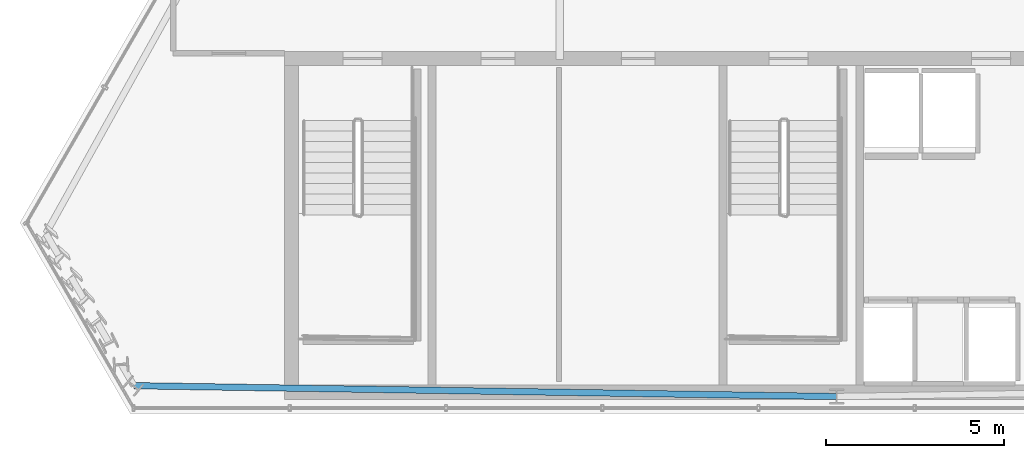
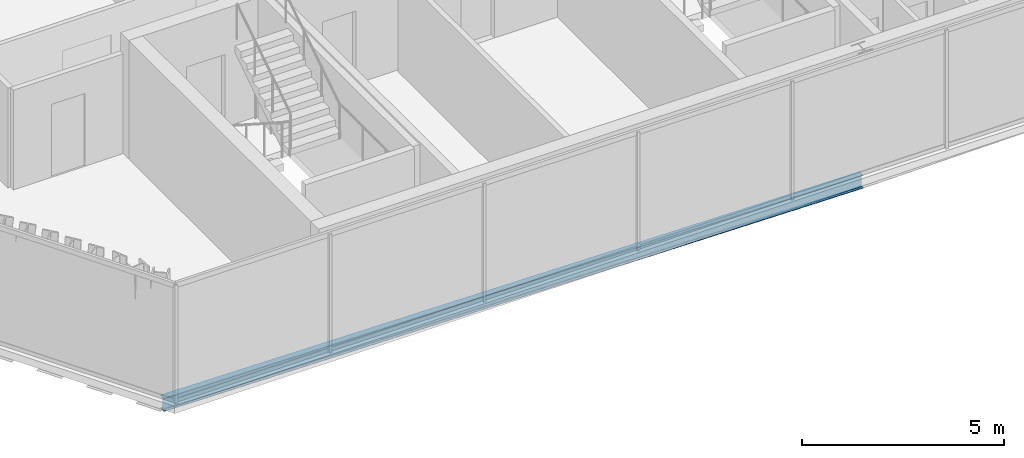
# One storey, part 4 of 32: 1 beam.
"""IFC4 building model written with IfcOpenShell, lengths in metres."""

from ifc_helpers import new_model, si_unit, direction, frame, origin, origin_2d, place, context, subcontext, project, spatial, i_section, extrude, material, material_profile, profile_set, type_object, element, save


model = new_model("IFC4")

# Units and contexts
model_context = context("Model", 3, precision=1e-05, world=origin(), true_north=direction((0.0, 1.0)))
body_context = subcontext(model_context, "Body", "Model", "MODEL_VIEW")
ifc_project = project(units=[si_unit("LENGTHUNIT", "METRE"), si_unit("AREAUNIT", "SQUARE_METRE"), si_unit("VOLUMEUNIT", "CUBIC_METRE"), si_unit("PLANEANGLEUNIT", "RADIAN"), si_unit("MASSUNIT", "GRAM", prefix="KILO")], contexts=[model_context])

# Site, building, storey
site_placement = place(None, origin())
site = spatial("IfcSite", under=ifc_project, at=site_placement, CompositionType="ELEMENT")
building_placement = place(site_placement, origin())
building = spatial("IfcBuilding", under=site, at=building_placement, Name="Ndaravel Arena Tower", CompositionType="ELEMENT")
storey_placement = place(building_placement, frame((0.0, 0.0, 259.800048828125)))
storey = spatial("IfcBuildingStorey", under=building, at=storey_placement, Name="L63", CompositionType="ELEMENT", Elevation=259.800048828125)

# Beam
ifc_material = material(Name="Steel S355", Category="steel")
ifc_material_profile = material_profile(ifc_material, i_section(OverallWidth=0.179931640625, OverallDepth=0.39990234375, WebThickness=0.008544921875, FlangeThickness=0.013427734375, FilletRadius=0.02099609375, at=origin_2d()), Name="IPE 400")
ifc_profile_set = profile_set([ifc_material_profile], Name="Steel S355")
beam_type = type_object("IfcBeamType", Name="BM-SPAN-IPE400", PredefinedType="SPANDREL", material=ifc_profile_set)
beam_placement = place(storey_placement, frame((22.205078125, 5.7861328125, -0.420166015625), z_axis=(0.999880419685, -0.015464356762, 0.0), x_axis=(0.015464356762, 0.999880419685, 0.0)))
element("IfcBeam", 1, at=beam_placement, inside=storey, type_object=beam_type, Name="L63 Perimeter Spandrel Beam SP-27", PredefinedType="SPANDREL", context=body_context, shape_type="SweptSolid", body=[
    extrude(i_section(OverallWidth=0.179931640625, OverallDepth=0.39990234375, WebThickness=0.008544921875, FlangeThickness=0.013427734375, FilletRadius=0.02099609375, at=origin_2d()), origin(), (0.0, 0.0, 1.0), 19.79736328125),
])

save(model, "model.ifc")
